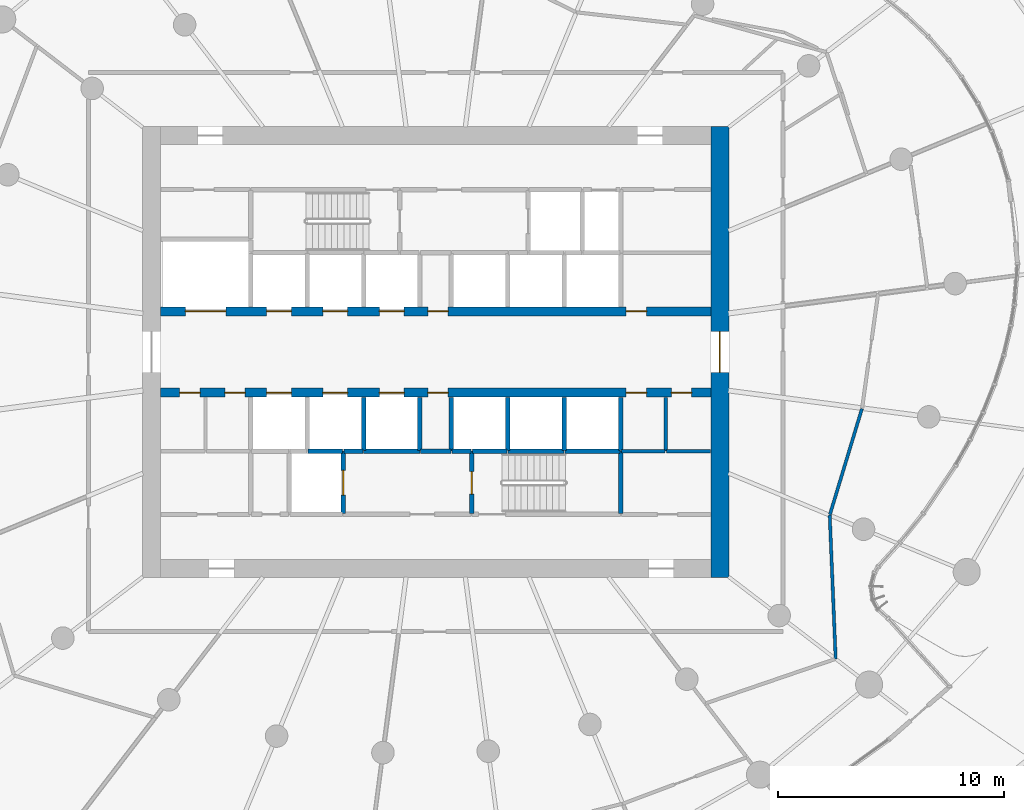
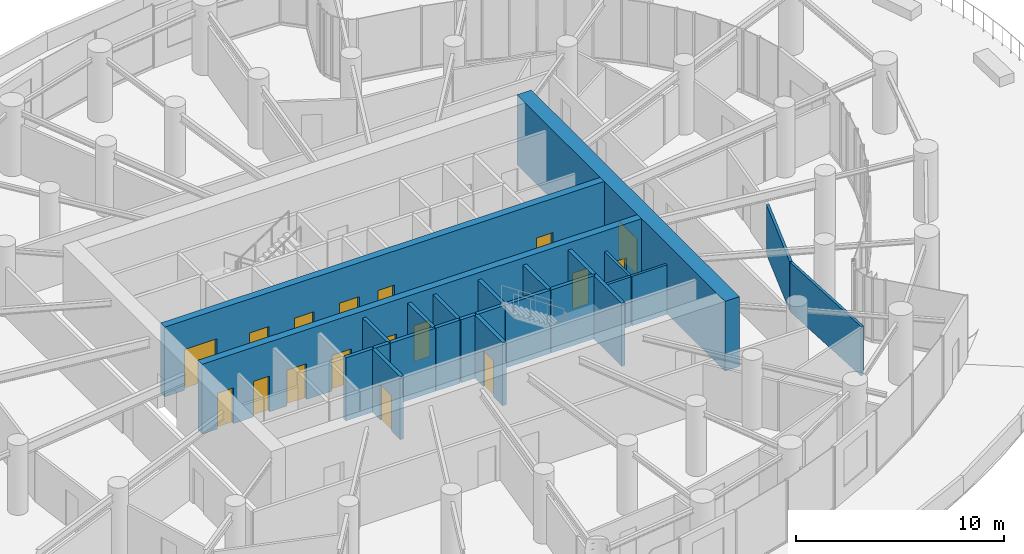
# One storey, part 16 of 24: 25 walls, 17 doors, 17 openings.
"""IFC4 building model written with IfcOpenShell, lengths in metres."""

from ifc_helpers import new_model, si_unit, direction, frame, frame_2d, origin, place, context, subcontext, project, spatial, rectangle, extrude, source, transform, mapped, material, layer, layer_set, type_object, element, fill, save


model = new_model("IFC4")

# Units and contexts
model_context = context("Model", 3, precision=1e-05, world=origin(), true_north=direction((0.0, 1.0)))
body_context = subcontext(model_context, "Body", "Model", "MODEL_VIEW")
ifc_project = project(units=[si_unit("LENGTHUNIT", "METRE"), si_unit("AREAUNIT", "SQUARE_METRE"), si_unit("VOLUMEUNIT", "CUBIC_METRE"), si_unit("PLANEANGLEUNIT", "RADIAN"), si_unit("MASSUNIT", "GRAM", prefix="KILO")], contexts=[model_context])

# Site, building, storey
site_placement = place(None, origin())
site = spatial("IfcSite", under=ifc_project, at=site_placement, CompositionType="ELEMENT")
building_placement = place(site_placement, origin())
building = spatial("IfcBuilding", under=site, at=building_placement, Name="Spindrift Exchange Tower", CompositionType="ELEMENT")
storey_placement = place(building_placement, frame((0.0, 0.0, 79.800048828125)))
storey = spatial("IfcBuildingStorey", under=building, at=storey_placement, Name="L18", CompositionType="ELEMENT", Elevation=79.800048828125)

# Wall, opening, door
ifc_material_1 = material(Name="Concrete 65 MPa", Category="concrete")
ifc_layer_1 = layer(ifc_material_1, 0.800048828125)
ifc_layer_set_1 = layer_set([ifc_layer_1], Name="RC Core Wall 800 Concrete 65 MPa")
wall_type_1 = type_object("IfcWallType", Name="RC Core Wall 800 Concrete 65 MPa", PredefinedType="SHEAR", material=ifc_layer_set_1)
wall_1_placement = place(storey_placement, frame((64.60009765625, 38.0, 0.0), z_axis=(0.0, 0.0, 1.0), x_axis=(0.0, 1.0, 0.0)))
wall_1 = element("IfcWall", 1, at=wall_1_placement, inside=storey, type_object=wall_type_1, Name="Core wall E L18", PredefinedType="SHEAR", context=body_context, shape_type="SweptSolid", body=[
    extrude(rectangle(XDim=20.0, YDim=0.800048828125, at=frame_2d((10.0, 0.0))), origin(), (0.0, 0.0, 1.0), 4.099853515625),
])
opening_1_placement = place(wall_1_placement, frame((9.10009765625, 0.0, 0.0)))
opening_1 = element("IfcOpeningElement", 2, at=opening_1_placement, cuts=wall_1, Name="Opening L18-D2", PredefinedType="OPENING", context=body_context, shape_type="SweptSolid", body=[
    extrude(rectangle(XDim=1.800048828125, YDim=2.10009765625, at=frame_2d((0.89990234375, 1.050048828125))), frame((0.0, 0.409912109375, 0.0), z_axis=(0.0, -1.0, 0.0), x_axis=(1.0, 0.0, 0.0)), (0.0, 0.0, 1.0), 0.820068359375),
])
ifc_material_2 = material(Name="Timber-core fire door", Category="wood")
door_type_1 = type_object("IfcDoorType", Name="DR-LOBBY-1800", OperationType="NOTDEFINED", PredefinedType="DOOR", material=ifc_material_2)
shared_shape_1 = source(origin(), body_context, "Body", "SweptSolid", [
    extrude(rectangle(XDim=1.800048828125, YDim=2.10009765625, at=frame_2d((0.89990234375, 1.050048828125))), frame((0.0, 0.02490234375, 0.0), z_axis=(0.0, -1.0, 0.0), x_axis=(1.0, 0.0, 0.0)), (0.0, 0.0, 1.0), 0.050048828125),
])
door_1_placement = place(opening_1_placement, origin())
door_1 = element("IfcDoor", 3, at=door_1_placement, inside=storey, type_object=door_type_1, Name="L18 Lobby door 2", OperationType="SINGLE_SWING_LEFT", OverallHeight=2.10009765625, OverallWidth=1.800048828125, PredefinedType="DOOR", context=body_context, shape_type="MappedRepresentation", body=[
    mapped(shared_shape_1, transform((0.0, 0.0, 0.0), scale=1.0)),
])
fill(opening_1, door_1)

# Wall, openings, doors
ifc_layer_2 = layer(ifc_material_1, 0.39990234375)
ifc_layer_set_2 = layer_set([ifc_layer_2], Name="RC Spine Wall 400 Concrete 65 MPa")
wall_type_2 = type_object("IfcWallType", Name="RC Spine Wall 400 Concrete 65 MPa", PredefinedType="SHEAR", material=ifc_layer_set_2)
wall_2_placement = place(storey_placement, frame((39.800048828125, 49.800048828125, 0.0), z_axis=(0.0, 0.0, 1.0), x_axis=(1.0, 0.0, 0.0)))
wall_2 = element("IfcWall", 4, at=wall_2_placement, inside=storey, type_object=wall_type_2, Name="Core spine wall N L18", PredefinedType="SHEAR", context=body_context, shape_type="SweptSolid", body=[
    extrude(rectangle(XDim=24.39990234375, YDim=0.39990234375, at=frame_2d((12.199951171875, 0.0))), origin(), (0.0, 0.0, 1.0), 4.099853515625),
])
opening_2_placement = place(wall_2_placement, frame((4.699951171875, 0.0, 0.0)))
opening_2 = element("IfcOpeningElement", 5, at=opening_2_placement, cuts=wall_2, Name="Opening L18-D3", PredefinedType="OPENING", context=body_context, shape_type="SweptSolid", body=[
    extrude(rectangle(XDim=1.10009765625, YDim=2.10009765625, at=frame_2d((0.550048828125, 1.050048828125))), frame((0.0, 0.2099609375, 0.0), z_axis=(0.0, -1.0, 0.0), x_axis=(1.0, 0.0, 0.0)), (0.0, 0.0, 1.0), 0.419921875),
])
opening_3_placement = place(wall_2_placement, frame((7.199951171875, 0.0, 0.0)))
opening_3 = element("IfcOpeningElement", 6, at=opening_3_placement, cuts=wall_2, Name="Opening L18-D4", PredefinedType="OPENING", context=body_context, shape_type="SweptSolid", body=[
    extrude(rectangle(XDim=1.10009765625, YDim=2.10009765625, at=frame_2d((0.550048828125, 1.050048828125))), frame((0.0, 0.2099609375, 0.0), z_axis=(0.0, -1.0, 0.0), x_axis=(1.0, 0.0, 0.0)), (0.0, 0.0, 1.0), 0.419921875),
])
opening_4_placement = place(wall_2_placement, frame((9.699951171875, 0.0, 0.0)))
opening_4 = element("IfcOpeningElement", 7, at=opening_4_placement, cuts=wall_2, Name="Opening L18-D5", PredefinedType="OPENING", context=body_context, shape_type="SweptSolid", body=[
    extrude(rectangle(XDim=1.10009765625, YDim=2.10009765625, at=frame_2d((0.550048828125, 1.050048828125))), frame((0.0, 0.2099609375, 0.0), z_axis=(0.0, -1.0, 0.0), x_axis=(1.0, 0.0, 0.0)), (0.0, 0.0, 1.0), 0.419921875),
])
opening_5_placement = place(wall_2_placement, frame((1.10009765625, 0.0, 0.0)))
opening_5 = element("IfcOpeningElement", 8, at=opening_5_placement, cuts=wall_2, Name="Opening L18-D12", PredefinedType="OPENING", context=body_context, shape_type="SweptSolid", body=[
    extrude(rectangle(XDim=1.800048828125, YDim=2.39990234375, at=frame_2d((0.89990234375, 1.199951171875))), frame((0.0, 0.2099609375, 0.0), z_axis=(0.0, -1.0, 0.0), x_axis=(1.0, 0.0, 0.0)), (0.0, 0.0, 1.0), 0.419921875),
])
opening_6_placement = place(wall_2_placement, frame((20.64990234375, 0.0, 0.0)))
opening_6 = element("IfcOpeningElement", 9, at=opening_6_placement, cuts=wall_2, Name="Opening L18-D49", PredefinedType="OPENING", context=body_context, shape_type="SweptSolid", body=[
    extrude(rectangle(XDim=0.89990234375, YDim=2.10009765625, at=frame_2d((0.449951171875, 1.050048828125))), frame((0.0, 0.2099609375, 0.0), z_axis=(0.0, -1.0, 0.0), x_axis=(1.0, 0.0, 0.0)), (0.0, 0.0, 1.0), 0.419921875),
])
opening_7_placement = place(wall_2_placement, frame((11.85009765625, 0.0, 0.0)))
opening_7 = element("IfcOpeningElement", 10, at=opening_7_placement, cuts=wall_2, Name="Opening L18-D54", PredefinedType="OPENING", context=body_context, shape_type="SweptSolid", body=[
    extrude(rectangle(XDim=0.89990234375, YDim=2.10009765625, at=frame_2d((0.449951171875, 1.050048828125))), frame((0.0, 0.2099609375, 0.0), z_axis=(0.0, -1.0, 0.0), x_axis=(1.0, 0.0, 0.0)), (0.0, 0.0, 1.0), 0.419921875),
])
ifc_material_3 = material(Name="Stainless steel landing door", Category="steel")
door_type_2 = type_object("IfcDoorType", Name="DR-LANDING-1100-SL", OperationType="DOUBLE_DOOR_SLIDING", PredefinedType="USERDEFINED", material=ifc_material_3)
shared_shape_2 = source(origin(), body_context, "Body", "SweptSolid", [
    extrude(rectangle(XDim=1.10009765625, YDim=2.10009765625, at=frame_2d((0.550048828125, 1.050048828125))), frame((0.0, 0.02490234375, 0.0), z_axis=(0.0, -1.0, 0.0), x_axis=(1.0, 0.0, 0.0)), (0.0, 0.0, 1.0), 0.050048828125),
])
door_2_placement = place(opening_2_placement, origin())
door_2 = element("IfcDoor", 11, at=door_2_placement, inside=storey, type_object=door_type_2, Name="L18 Lift landing door 3", ObjectType="LANDING DOOR", OperationType="DOUBLE_DOOR_SLIDING", OverallHeight=2.10009765625, OverallWidth=1.10009765625, PredefinedType="USERDEFINED", context=body_context, shape_type="MappedRepresentation", body=[
    mapped(shared_shape_2, transform((0.0, 0.0, 0.0), scale=1.0)),
])
fill(opening_2, door_2)
door_3_placement = place(opening_3_placement, origin())
door_3 = element("IfcDoor", 12, at=door_3_placement, inside=storey, type_object=door_type_2, Name="L18 Lift landing door 4", ObjectType="LANDING DOOR", OperationType="DOUBLE_DOOR_SLIDING", OverallHeight=2.10009765625, OverallWidth=1.10009765625, PredefinedType="USERDEFINED", context=body_context, shape_type="MappedRepresentation", body=[
    mapped(shared_shape_2, transform((0.0, 0.0, 0.0), scale=1.0)),
])
fill(opening_3, door_3)
door_4_placement = place(opening_4_placement, origin())
door_4 = element("IfcDoor", 13, at=door_4_placement, inside=storey, type_object=door_type_2, Name="L18 Lift landing door 5", ObjectType="LANDING DOOR", OperationType="DOUBLE_DOOR_SLIDING", OverallHeight=2.10009765625, OverallWidth=1.10009765625, PredefinedType="USERDEFINED", context=body_context, shape_type="MappedRepresentation", body=[
    mapped(shared_shape_2, transform((0.0, 0.0, 0.0), scale=1.0)),
])
fill(opening_4, door_4)
door_type_3 = type_object("IfcDoorType", Name="DR-LANDING-1800-SL", OperationType="DOUBLE_DOOR_SLIDING", PredefinedType="USERDEFINED", material=ifc_material_3)
shared_shape_3 = source(origin(), body_context, "Body", "SweptSolid", [
    extrude(rectangle(XDim=1.800048828125, YDim=2.39990234375, at=frame_2d((0.89990234375, 1.199951171875))), frame((0.0, 0.02490234375, 0.0), z_axis=(0.0, -1.0, 0.0), x_axis=(1.0, 0.0, 0.0)), (0.0, 0.0, 1.0), 0.050048828125),
])
door_5_placement = place(opening_5_placement, origin())
door_5 = element("IfcDoor", 14, at=door_5_placement, inside=storey, type_object=door_type_3, Name="L18 Lift landing door 12", ObjectType="LANDING DOOR", OperationType="DOUBLE_DOOR_SLIDING", OverallHeight=2.39990234375, OverallWidth=1.800048828125, PredefinedType="USERDEFINED", context=body_context, shape_type="MappedRepresentation", body=[
    mapped(shared_shape_3, transform((0.0, 0.0, 0.0), scale=1.0)),
])
fill(opening_5, door_5)
ifc_material_4 = material(Name="Steel access door", Category="steel")
door_type_4 = type_object("IfcDoorType", Name="DR-RISER-900", OperationType="NOTDEFINED", PredefinedType="DOOR", material=ifc_material_4)
shared_shape_4 = source(origin(), body_context, "Body", "SweptSolid", [
    extrude(rectangle(XDim=0.89990234375, YDim=2.10009765625, at=frame_2d((0.449951171875, 1.050048828125))), frame((0.0, 0.02490234375, 0.0), z_axis=(0.0, -1.0, 0.0), x_axis=(1.0, 0.0, 0.0)), (0.0, 0.0, 1.0), 0.050048828125),
])
door_6_placement = place(opening_6_placement, origin())
door_6 = element("IfcDoor", 15, at=door_6_placement, inside=storey, type_object=door_type_4, Name="L18 Riser door 49", OperationType="SINGLE_SWING_RIGHT", OverallHeight=2.10009765625, OverallWidth=0.89990234375, PredefinedType="DOOR", context=body_context, shape_type="MappedRepresentation", body=[
    mapped(shared_shape_4, transform((0.0, 0.0, 0.0), scale=1.0)),
])
fill(opening_6, door_6)
door_7_placement = place(opening_7_placement, origin())
door_7 = element("IfcDoor", 16, at=door_7_placement, inside=storey, type_object=door_type_4, Name="L18 Riser door 54", OperationType="SINGLE_SWING_LEFT", OverallHeight=2.10009765625, OverallWidth=0.89990234375, PredefinedType="DOOR", context=body_context, shape_type="MappedRepresentation", body=[
    mapped(shared_shape_4, transform((0.0, 0.0, 0.0), scale=1.0)),
])
fill(opening_7, door_7)

wall_3_placement = place(storey_placement, frame((39.800048828125, 46.199951171875, 0.0), z_axis=(0.0, 0.0, 1.0), x_axis=(1.0, 0.0, 0.0)))
wall_3 = element("IfcWall", 17, at=wall_3_placement, inside=storey, type_object=wall_type_2, Name="Core spine wall S L18", PredefinedType="SHEAR", context=body_context, shape_type="SweptSolid", body=[
    extrude(rectangle(XDim=24.39990234375, YDim=0.39990234375, at=frame_2d((12.199951171875, 0.0))), origin(), (0.0, 0.0, 1.0), 4.099853515625),
])
opening_8_placement = place(wall_3_placement, frame((4.699951171875, 0.0, 0.0)))
opening_8 = element("IfcOpeningElement", 18, at=opening_8_placement, cuts=wall_3, Name="Opening L18-D6", PredefinedType="OPENING", context=body_context, shape_type="SweptSolid", body=[
    extrude(rectangle(XDim=1.10009765625, YDim=2.10009765625, at=frame_2d((0.550048828125, 1.050048828125))), frame((0.0, 0.2099609375, 0.0), z_axis=(0.0, -1.0, 0.0), x_axis=(1.0, 0.0, 0.0)), (0.0, 0.0, 1.0), 0.419921875),
])
opening_9_placement = place(wall_3_placement, frame((7.199951171875, 0.0, 0.0)))
opening_9 = element("IfcOpeningElement", 19, at=opening_9_placement, cuts=wall_3, Name="Opening L18-D7", PredefinedType="OPENING", context=body_context, shape_type="SweptSolid", body=[
    extrude(rectangle(XDim=1.10009765625, YDim=2.10009765625, at=frame_2d((0.550048828125, 1.050048828125))), frame((0.0, 0.2099609375, 0.0), z_axis=(0.0, -1.0, 0.0), x_axis=(1.0, 0.0, 0.0)), (0.0, 0.0, 1.0), 0.419921875),
])
opening_10_placement = place(wall_3_placement, frame((9.699951171875, 0.0, 0.0)))
opening_10 = element("IfcOpeningElement", 20, at=opening_10_placement, cuts=wall_3, Name="Opening L18-D8", PredefinedType="OPENING", context=body_context, shape_type="SweptSolid", body=[
    extrude(rectangle(XDim=1.10009765625, YDim=2.10009765625, at=frame_2d((0.550048828125, 1.050048828125))), frame((0.0, 0.2099609375, 0.0), z_axis=(0.0, -1.0, 0.0), x_axis=(1.0, 0.0, 0.0)), (0.0, 0.0, 1.0), 0.419921875),
])
opening_11_placement = place(wall_3_placement, frame((20.64990234375, 0.0, 0.0)))
opening_11 = element("IfcOpeningElement", 21, at=opening_11_placement, cuts=wall_3, Name="Opening L18-D47", PredefinedType="OPENING", context=body_context, shape_type="SweptSolid", body=[
    extrude(rectangle(XDim=0.89990234375, YDim=2.10009765625, at=frame_2d((0.449951171875, 1.050048828125))), frame((0.0, 0.2099609375, 0.0), z_axis=(0.0, -1.0, 0.0), x_axis=(1.0, 0.0, 0.0)), (0.0, 0.0, 1.0), 0.419921875),
])
opening_12_placement = place(wall_3_placement, frame((22.64990234375, 0.0, 0.0)))
opening_12 = element("IfcOpeningElement", 22, at=opening_12_placement, cuts=wall_3, Name="Opening L18-D48", PredefinedType="OPENING", context=body_context, shape_type="SweptSolid", body=[
    extrude(rectangle(XDim=0.89990234375, YDim=2.10009765625, at=frame_2d((0.449951171875, 1.050048828125))), frame((0.0, 0.2099609375, 0.0), z_axis=(0.0, -1.0, 0.0), x_axis=(1.0, 0.0, 0.0)), (0.0, 0.0, 1.0), 0.419921875),
])
opening_13_placement = place(wall_3_placement, frame((0.85009765625, 0.0, 0.0)))
opening_13 = element("IfcOpeningElement", 23, at=opening_13_placement, cuts=wall_3, Name="Opening L18-D52", PredefinedType="OPENING", context=body_context, shape_type="SweptSolid", body=[
    extrude(rectangle(XDim=0.89990234375, YDim=2.10009765625, at=frame_2d((0.449951171875, 1.050048828125))), frame((0.0, 0.2099609375, 0.0), z_axis=(0.0, -1.0, 0.0), x_axis=(1.0, 0.0, 0.0)), (0.0, 0.0, 1.0), 0.419921875),
])
opening_14_placement = place(wall_3_placement, frame((2.85009765625, 0.0, 0.0)))
opening_14 = element("IfcOpeningElement", 24, at=opening_14_placement, cuts=wall_3, Name="Opening L18-D53", PredefinedType="OPENING", context=body_context, shape_type="SweptSolid", body=[
    extrude(rectangle(XDim=0.89990234375, YDim=2.10009765625, at=frame_2d((0.449951171875, 1.050048828125))), frame((0.0, 0.2099609375, 0.0), z_axis=(0.0, -1.0, 0.0), x_axis=(1.0, 0.0, 0.0)), (0.0, 0.0, 1.0), 0.419921875),
])
opening_15_placement = place(wall_3_placement, frame((11.85009765625, 0.0, 0.0)))
opening_15 = element("IfcOpeningElement", 25, at=opening_15_placement, cuts=wall_3, Name="Opening L18-D55", PredefinedType="OPENING", context=body_context, shape_type="SweptSolid", body=[
    extrude(rectangle(XDim=0.89990234375, YDim=2.10009765625, at=frame_2d((0.449951171875, 1.050048828125))), frame((0.0, 0.2099609375, 0.0), z_axis=(0.0, -1.0, 0.0), x_axis=(1.0, 0.0, 0.0)), (0.0, 0.0, 1.0), 0.419921875),
])
door_8_placement = place(opening_8_placement, origin())
door_8 = element("IfcDoor", 26, at=door_8_placement, inside=storey, type_object=door_type_2, Name="L18 Lift landing door 6", ObjectType="LANDING DOOR", OperationType="DOUBLE_DOOR_SLIDING", OverallHeight=2.10009765625, OverallWidth=1.10009765625, PredefinedType="USERDEFINED", context=body_context, shape_type="MappedRepresentation", body=[
    mapped(shared_shape_2, transform((0.0, 0.0, 0.0), scale=1.0)),
])
fill(opening_8, door_8)
door_9_placement = place(opening_9_placement, origin())
door_9 = element("IfcDoor", 27, at=door_9_placement, inside=storey, type_object=door_type_2, Name="L18 Lift landing door 7", ObjectType="LANDING DOOR", OperationType="DOUBLE_DOOR_SLIDING", OverallHeight=2.10009765625, OverallWidth=1.10009765625, PredefinedType="USERDEFINED", context=body_context, shape_type="MappedRepresentation", body=[
    mapped(shared_shape_2, transform((0.0, 0.0, 0.0), scale=1.0)),
])
fill(opening_9, door_9)
door_10_placement = place(opening_10_placement, origin())
door_10 = element("IfcDoor", 28, at=door_10_placement, inside=storey, type_object=door_type_2, Name="L18 Lift landing door 8", ObjectType="LANDING DOOR", OperationType="DOUBLE_DOOR_SLIDING", OverallHeight=2.10009765625, OverallWidth=1.10009765625, PredefinedType="USERDEFINED", context=body_context, shape_type="MappedRepresentation", body=[
    mapped(shared_shape_2, transform((0.0, 0.0, 0.0), scale=1.0)),
])
fill(opening_10, door_10)
door_11_placement = place(opening_11_placement, origin())
door_11 = element("IfcDoor", 29, at=door_11_placement, inside=storey, type_object=door_type_4, Name="L18 Riser door 47", OperationType="SINGLE_SWING_RIGHT", OverallHeight=2.10009765625, OverallWidth=0.89990234375, PredefinedType="DOOR", context=body_context, shape_type="MappedRepresentation", body=[
    mapped(shared_shape_4, transform((0.0, 0.0, 0.0), scale=1.0)),
])
fill(opening_11, door_11)
door_12_placement = place(opening_12_placement, origin())
door_12 = element("IfcDoor", 30, at=door_12_placement, inside=storey, type_object=door_type_4, Name="L18 Riser door 48", OperationType="SINGLE_SWING_LEFT", OverallHeight=2.10009765625, OverallWidth=0.89990234375, PredefinedType="DOOR", context=body_context, shape_type="MappedRepresentation", body=[
    mapped(shared_shape_4, transform((0.0, 0.0, 0.0), scale=1.0)),
])
fill(opening_12, door_12)
door_13_placement = place(opening_13_placement, origin())
door_13 = element("IfcDoor", 31, at=door_13_placement, inside=storey, type_object=door_type_4, Name="L18 Riser door 52", OperationType="SINGLE_SWING_LEFT", OverallHeight=2.10009765625, OverallWidth=0.89990234375, PredefinedType="DOOR", context=body_context, shape_type="MappedRepresentation", body=[
    mapped(shared_shape_4, transform((0.0, 0.0, 0.0), scale=1.0)),
])
fill(opening_13, door_13)
door_14_placement = place(opening_14_placement, origin())
door_14 = element("IfcDoor", 32, at=door_14_placement, inside=storey, type_object=door_type_4, Name="L18 Riser door 53", OperationType="SINGLE_SWING_RIGHT", OverallHeight=2.10009765625, OverallWidth=0.89990234375, PredefinedType="DOOR", context=body_context, shape_type="MappedRepresentation", body=[
    mapped(shared_shape_4, transform((0.0, 0.0, 0.0), scale=1.0)),
])
fill(opening_14, door_14)
door_15_placement = place(opening_15_placement, origin())
door_15 = element("IfcDoor", 33, at=door_15_placement, inside=storey, type_object=door_type_4, Name="L18 Riser door 55", OperationType="SINGLE_SWING_RIGHT", OverallHeight=2.10009765625, OverallWidth=0.89990234375, PredefinedType="DOOR", context=body_context, shape_type="MappedRepresentation", body=[
    mapped(shared_shape_4, transform((0.0, 0.0, 0.0), scale=1.0)),
])
fill(opening_15, door_15)

# Walls
ifc_material_5 = material(Name="Fire-rated plasterboard partition", Category="gypsum")
ifc_layer_3 = layer(ifc_material_5, 0.139892578125)
ifc_layer_set_3 = layer_set([ifc_layer_3], Name="W-PART-140")
wall_type_3 = type_object("IfcWallType", Name="W-PART-140", PredefinedType="PARTITIONING", material=ifc_layer_set_3)
wall_4_placement = place(storey_placement, frame((69.73681640625, 34.39013671875, 0.0), z_axis=(0.0, 0.0, 1.0), x_axis=(-0.041305713894, 0.999146554815, 0.0)))
element("IfcWall", 34, at=wall_4_placement, inside=storey, type_object=wall_type_3, Name="L18 Partition wall 68", PredefinedType="PARTITIONING", context=body_context, shape_type="SweptSolid", body=[
    extrude(rectangle(XDim=6.37744140625, YDim=0.139892578125, at=frame_2d((3.188720703125, 0.0))), origin(), (0.0, 0.0, 1.0), 2.89990234375),
])
wall_5_placement = place(storey_placement, frame((69.482177734375, 40.791015625, 0.0), z_axis=(0.0, 0.0, 1.0), x_axis=(0.289545544605, 0.957164237526, 0.0)))
element("IfcWall", 35, at=wall_5_placement, inside=storey, type_object=wall_type_3, Name="L18 Partition wall 84", PredefinedType="PARTITIONING", context=body_context, shape_type="SweptSolid", body=[
    extrude(rectangle(XDim=4.900634765625, YDim=0.139892578125, at=frame_2d((2.4501953125, 0.0))), origin(), (0.0, 0.0, 1.0), 2.89990234375),
])
wall_6_placement = place(storey_placement, frame((62.199951171875, 43.60009765625, 0.0), z_axis=(0.0, 0.0, 1.0), x_axis=(0.0, 1.0, 0.0)))
element("IfcWall", 36, at=wall_6_placement, inside=storey, type_object=wall_type_3, Name="L18 Partition wall 102", PredefinedType="PARTITIONING", context=body_context, shape_type="SweptSolid", body=[
    extrude(rectangle(XDim=2.389892578125, YDim=0.139892578125, at=frame_2d((1.19482421875, 0.0))), origin(), (0.0, 0.0, 1.0), 2.89990234375),
])
wall_7_placement = place(storey_placement, frame((60.22998046875, 43.60009765625, 0.0), z_axis=(0.0, 0.0, 1.0), x_axis=(1.0, 0.0, 0.0)))
element("IfcWall", 37, at=wall_7_placement, inside=storey, type_object=wall_type_3, Name="L18 Partition wall 107", PredefinedType="PARTITIONING", context=body_context, shape_type="SweptSolid", body=[
    extrude(rectangle(XDim=1.93994140625, YDim=0.139892578125, at=frame_2d((0.969970703125, 0.0))), origin(), (0.0, 0.0, 1.0), 2.89990234375),
])
wall_8_placement = place(storey_placement, frame((62.22998046875, 43.60009765625, 0.0), z_axis=(0.0, 0.0, 1.0), x_axis=(1.0, 0.0, 0.0)))
element("IfcWall", 38, at=wall_8_placement, inside=storey, type_object=wall_type_3, Name="L18 Partition wall 108", PredefinedType="PARTITIONING", context=body_context, shape_type="SweptSolid", body=[
    extrude(rectangle(XDim=1.949951171875, YDim=0.139892578125, at=frame_2d((0.97509765625, 0.0))), origin(), (0.0, 0.0, 1.0), 2.89990234375),
])

# Wall, opening, door
ifc_material_6 = material(Name="Concrete 40 MPa", Category="concrete")
ifc_layer_4 = layer(ifc_material_6, 0.199951171875)
ifc_layer_set_4 = layer_set([ifc_layer_4], Name="W-SHAFT-200")
wall_type_4 = type_object("IfcWallType", Name="W-SHAFT-200", PredefinedType="SOLIDWALL", material=ifc_layer_set_4)
wall_9_placement = place(storey_placement, frame((47.89990234375, 40.830078125, 0.0), z_axis=(0.0, 0.0, 1.0), x_axis=(0.0, 1.0, 0.0)))
wall_9 = element("IfcWall", 39, at=wall_9_placement, inside=storey, type_object=wall_type_4, Name="L18 Shaft wall 8", PredefinedType="SOLIDWALL", context=body_context, shape_type="SweptSolid", body=[
    extrude(rectangle(XDim=2.77001953125, YDim=0.199951171875, at=frame_2d((1.385009765625, 0.0))), origin(), (0.0, 0.0, 1.0), 3.699951171875),
])
opening_16_placement = place(wall_9_placement, frame((0.820068359375, 0.0, 0.0)))
opening_16 = element("IfcOpeningElement", 40, at=opening_16_placement, cuts=wall_9, Name="Opening L18-D10", PredefinedType="OPENING", context=body_context, shape_type="SweptSolid", body=[
    extrude(rectangle(XDim=1.10009765625, YDim=2.10009765625, at=frame_2d((0.550048828125, 1.050048828125))), frame((0.0, 0.10986328125, 0.0), z_axis=(0.0, -1.0, 0.0), x_axis=(1.0, 0.0, 0.0)), (0.0, 0.0, 1.0), 0.219970703125),
])
door_16_placement = place(opening_16_placement, origin())
door_16 = element("IfcDoor", 41, at=door_16_placement, inside=storey, type_object=door_type_2, Name="L18 Lift landing door 10", ObjectType="LANDING DOOR", OperationType="DOUBLE_DOOR_SLIDING", OverallHeight=2.10009765625, OverallWidth=1.10009765625, PredefinedType="USERDEFINED", context=body_context, shape_type="MappedRepresentation", body=[
    mapped(shared_shape_2, transform((0.0, 0.0, 0.0), scale=1.0)),
])
fill(opening_16, door_16)

# Walls
wall_10_placement = place(storey_placement, frame((48.800048828125, 43.60009765625, 0.0), z_axis=(0.0, 0.0, 1.0), x_axis=(1.0, 0.0, 0.0)))
element("IfcWall", 42, at=wall_10_placement, inside=storey, type_object=wall_type_4, Name="L18 Shaft wall 17", PredefinedType="SOLIDWALL", context=body_context, shape_type="SweptSolid", body=[
    extrude(rectangle(XDim=2.5, YDim=0.199951171875, at=frame_2d((1.25, 0.0))), origin(), (0.0, 0.0, 1.0), 3.699951171875),
])
for number, where, z_axis, x_axis, name in (
    (43, (48.800048828125, 43.6298828125, 0.0), (0.0, 0.0, 1.0), (0.0, 1.0, 0.0), "L18 Shaft wall 27"),
    (44, (51.300048828125, 43.6298828125, 0.0), (0.0, 0.0, 1.0), (0.0, 1.0, 0.0), "L18 Shaft wall 29"),
):
    element("IfcWall", number, at=place(storey_placement, frame(where, z_axis=z_axis, x_axis=x_axis)), inside=storey, type_object=wall_type_4, Name=name, PredefinedType="SOLIDWALL", context=body_context, shape_type="SweptSolid", body=[
        extrude(rectangle(XDim=2.360107421875, YDim=0.199951171875, at=frame_2d((1.18017578125, 0.0))), origin(), (0.0, 0.0, 1.0), 3.699951171875),
    ])
wall_11_placement = place(storey_placement, frame((52.699951171875, 45.989990234375, 0.0), z_axis=(0.0, 0.0, 1.0), x_axis=(0.0, -1.0, 0.0)))
element("IfcWall", 45, at=wall_11_placement, inside=storey, type_object=wall_type_4, Name="L18 Shaft wall 31", PredefinedType="SOLIDWALL", context=body_context, shape_type="SweptSolid", body=[
    extrude(rectangle(XDim=2.389892578125, YDim=0.199951171875, at=frame_2d((1.19482421875, 0.0))), origin(), (0.0, 0.0, 1.0), 3.699951171875),
])
wall_12_placement = place(storey_placement, frame((46.330078125, 43.60009765625, 0.0), z_axis=(0.0, 0.0, 1.0), x_axis=(1.0, 0.0, 0.0)))
element("IfcWall", 46, at=wall_12_placement, inside=storey, type_object=wall_type_4, Name="L18 Shaft wall 44", PredefinedType="SOLIDWALL", context=body_context, shape_type="SweptSolid", body=[
    extrude(rectangle(XDim=1.5400390625, YDim=0.199951171875, at=frame_2d((0.77001953125, 0.0))), origin(), (0.0, 0.0, 1.0), 3.699951171875),
])
wall_13_placement = place(storey_placement, frame((52.669921875, 43.60009765625, 0.0), z_axis=(0.0, 0.0, 1.0), x_axis=(-1.0, 0.0, 0.0)))
element("IfcWall", 47, at=wall_13_placement, inside=storey, type_object=wall_type_4, Name="L18 Shaft wall 48", PredefinedType="SOLIDWALL", context=body_context, shape_type="SweptSolid", body=[
    extrude(rectangle(XDim=1.33984375, YDim=0.199951171875, at=frame_2d((0.669921875, 0.0))), origin(), (0.0, 0.0, 1.0), 3.699951171875),
])
wall_14_placement = place(storey_placement, frame((47.929931640625, 43.60009765625, 0.0), z_axis=(0.0, 0.0, 1.0), x_axis=(1.0, 0.0, 0.0)))
element("IfcWall", 48, at=wall_14_placement, inside=storey, type_object=wall_type_4, Name="L18 Shaft wall 50", PredefinedType="SOLIDWALL", context=body_context, shape_type="SweptSolid", body=[
    extrude(rectangle(XDim=0.840087890625, YDim=0.199951171875, at=frame_2d((0.419921875, 0.0))), origin(), (0.0, 0.0, 1.0), 3.699951171875),
])
ifc_layer_5 = layer(ifc_material_6, 0.199951171875)
ifc_layer_set_5 = layer_set([ifc_layer_5], Name="W-SHAFT-200-LB")
wall_type_5 = type_object("IfcWallType", Name="W-SHAFT-200-LB", PredefinedType="SOLIDWALL", material=ifc_layer_set_5)
wall_15_placement = place(storey_placement, frame((60.199951171875, 40.830078125, 0.0), z_axis=(0.0, 0.0, 1.0), x_axis=(0.0, 1.0, 0.0)))
element("IfcWall", 49, at=wall_15_placement, inside=storey, type_object=wall_type_5, Name="L18 Shaft wall 10", PredefinedType="SOLIDWALL", context=body_context, shape_type="SweptSolid", body=[
    extrude(rectangle(XDim=2.77001953125, YDim=0.199951171875, at=frame_2d((1.385009765625, 0.0))), origin(), (0.0, 0.0, 1.0), 3.699951171875),
])

# Wall, opening, door
wall_16_placement = place(storey_placement, frame((53.60009765625, 43.60009765625, 0.0), z_axis=(0.0, 0.0, 1.0), x_axis=(0.0, -1.0, 0.0)))
wall_16 = element("IfcWall", 50, at=wall_16_placement, inside=storey, type_object=wall_type_5, Name="L18 Shaft wall 11", PredefinedType="SOLIDWALL", context=body_context, shape_type="SweptSolid", body=[
    extrude(rectangle(XDim=2.77001953125, YDim=0.199951171875, at=frame_2d((1.385009765625, 0.0))), origin(), (0.0, 0.0, 1.0), 3.699951171875),
])
opening_17_placement = place(wall_16_placement, frame((0.89990234375, 0.0, 0.0)))
opening_17 = element("IfcOpeningElement", 51, at=opening_17_placement, cuts=wall_16, Name="Opening L18-D17", PredefinedType="OPENING", context=body_context, shape_type="SweptSolid", body=[
    extrude(rectangle(XDim=1.0, YDim=2.10009765625, at=frame_2d((0.5, 1.050048828125))), frame((0.0, 0.10986328125, 0.0), z_axis=(0.0, -1.0, 0.0), x_axis=(1.0, 0.0, 0.0)), (0.0, 0.0, 1.0), 0.219970703125),
])
ifc_material_7 = material(Name="Steel fire door", Category="steel")
door_type_5 = type_object("IfcDoorType", Name="DR-STAIR-1000", OperationType="NOTDEFINED", PredefinedType="DOOR", material=ifc_material_7)
shared_shape_5 = source(origin(), body_context, "Body", "SweptSolid", [
    extrude(rectangle(XDim=1.0, YDim=2.10009765625, at=frame_2d((0.5, 1.050048828125))), frame((0.0, 0.02490234375, 0.0), z_axis=(0.0, -1.0, 0.0), x_axis=(1.0, 0.0, 0.0)), (0.0, 0.0, 1.0), 0.050048828125),
])
door_17_placement = place(opening_17_placement, origin())
door_17 = element("IfcDoor", 52, at=door_17_placement, inside=storey, type_object=door_type_5, Name="L18 Stair door 17", OperationType="SINGLE_SWING_RIGHT", OverallHeight=2.10009765625, OverallWidth=1.0, PredefinedType="DOOR", context=body_context, shape_type="MappedRepresentation", body=[
    mapped(shared_shape_5, transform((0.0, 0.0, 0.0), scale=1.0)),
])
fill(opening_17, door_17)

# Walls
wall_17_placement = place(storey_placement, frame((55.199951171875, 43.60009765625, 0.0), z_axis=(0.0, 0.0, 1.0), x_axis=(1.0, 0.0, 0.0)))
element("IfcWall", 53, at=wall_17_placement, inside=storey, type_object=wall_type_5, Name="L18 Shaft wall 19", PredefinedType="SOLIDWALL", context=body_context, shape_type="SweptSolid", body=[
    extrude(rectangle(XDim=2.5, YDim=0.199951171875, at=frame_2d((1.25, 0.0))), origin(), (0.0, 0.0, 1.0), 3.699951171875),
])
wall_18_placement = place(storey_placement, frame((57.72998046875, 43.60009765625, 0.0), z_axis=(0.0, 0.0, 1.0), x_axis=(1.0, 0.0, 0.0)))
element("IfcWall", 54, at=wall_18_placement, inside=storey, type_object=wall_type_5, Name="L18 Shaft wall 20", PredefinedType="SOLIDWALL", context=body_context, shape_type="SweptSolid", body=[
    extrude(rectangle(XDim=2.43994140625, YDim=0.199951171875, at=frame_2d((1.219970703125, 0.0))), origin(), (0.0, 0.0, 1.0), 3.699951171875),
])
for number, where, z_axis, x_axis, name in (
    (55, (55.199951171875, 43.6298828125, 0.0), (0.0, 0.0, 1.0), (0.0, 1.0, 0.0), "L18 Shaft wall 33"),
    (56, (57.699951171875, 43.6298828125, 0.0), (0.0, 0.0, 1.0), (0.0, 1.0, 0.0), "L18 Shaft wall 35"),
    (57, (60.199951171875, 43.6298828125, 0.0), (0.0, 0.0, 1.0), (0.0, 1.0, 0.0), "L18 Shaft wall 37"),
):
    element("IfcWall", number, at=place(storey_placement, frame(where, z_axis=z_axis, x_axis=x_axis)), inside=storey, type_object=wall_type_5, Name=name, PredefinedType="SOLIDWALL", context=body_context, shape_type="SweptSolid", body=[
        extrude(rectangle(XDim=2.360107421875, YDim=0.199951171875, at=frame_2d((1.18017578125, 0.0))), origin(), (0.0, 0.0, 1.0), 3.699951171875),
    ])
wall_19_placement = place(storey_placement, frame((53.6298828125, 43.60009765625, 0.0), z_axis=(0.0, 0.0, 1.0), x_axis=(1.0, 0.0, 0.0)))
element("IfcWall", 58, at=wall_19_placement, inside=storey, type_object=wall_type_5, Name="L18 Shaft wall 46", PredefinedType="SOLIDWALL", context=body_context, shape_type="SweptSolid", body=[
    extrude(rectangle(XDim=1.5400390625, YDim=0.199951171875, at=frame_2d((0.77001953125, 0.0))), origin(), (0.0, 0.0, 1.0), 3.699951171875),
])
wall_20_placement = place(storey_placement, frame((52.72998046875, 43.60009765625, 0.0), z_axis=(0.0, 0.0, 1.0), x_axis=(1.0, 0.0, 0.0)))
element("IfcWall", 59, at=wall_20_placement, inside=storey, type_object=wall_type_5, Name="L18 Shaft wall 52", PredefinedType="SOLIDWALL", context=body_context, shape_type="SweptSolid", body=[
    extrude(rectangle(XDim=0.840087890625, YDim=0.199951171875, at=frame_2d((0.419921875, 0.0))), origin(), (0.0, 0.0, 1.0), 3.699951171875),
])

save(model, "model.ifc")
